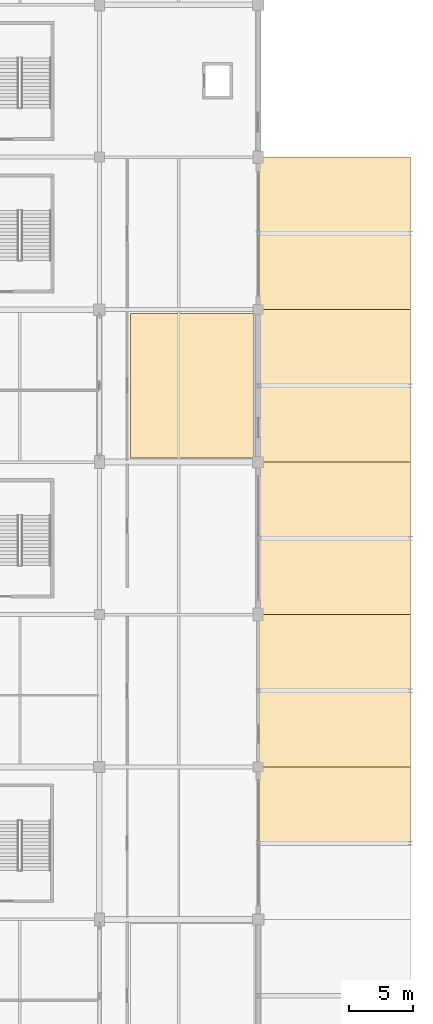
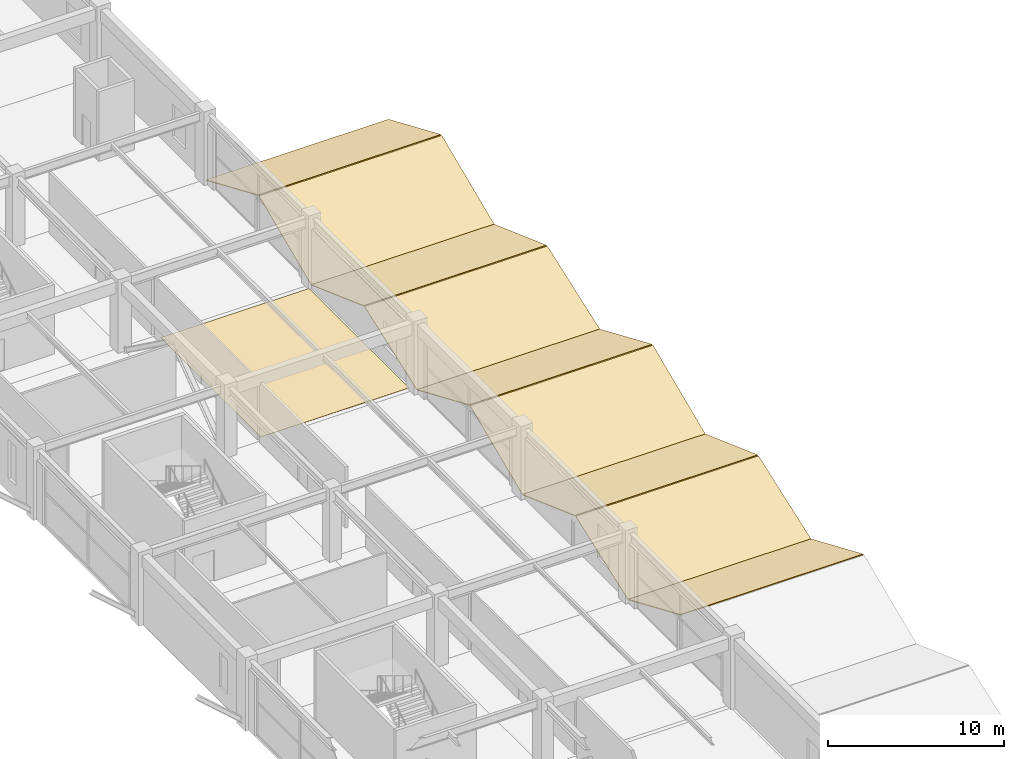
# One storey, part 109 of 116: 10 coverings.
"""IFC4 building model written with IfcOpenShell, lengths in metres."""

import ifcopenshell
import ifcopenshell.guid

model = None  # the IFC model being written
_history = None  # IfcOwnerHistory: only IFC2X3 demands one
_inside = {}  # id of a spatial element -> (the spatial element, [elements in it])
_under = {}  # id of a project, library or spatial element -> (it, [spatial elements below it])
_declared = {}  # id of a project -> (the project, [libraries it declares])
_typed = {}  # id of a type object -> (the type object, [elements of that type])
_made_of = {}  # id of a material, layer set ... -> (it, [elements and type objects made of it])


def new_model(schema):
    """Start an empty IFC model of exactly this schema.

    Asked for "IFC4X3", IfcOpenShell would pick the latest addendum, in which some entities
    have other attributes; the version numbers below select the first issue.
    IFC2X3 requires an IfcOwnerHistory on every rooted entity: one is made here for all.
    """
    global model, _history
    if schema == "IFC4X3":
        model = ifcopenshell.file(schema_version=(4, 3, 0, 0))
    else:
        model = ifcopenshell.file(schema=schema)
    _inside.clear()
    _under.clear()
    _declared.clear()
    _typed.clear()
    _made_of.clear()
    _history = None
    if model.schema == "IFC2X3":
        org = make("IfcOrganization", Name="unknown")
        user = make(
            "IfcPersonAndOrganization",
            ThePerson=make("IfcPerson", FamilyName="unknown"),
            TheOrganization=org,
        )
        app = make(
            "IfcApplication",
            ApplicationDeveloper=org,
            Version="unknown",
            ApplicationFullName="unknown",
            ApplicationIdentifier="unknown",
        )
        _history = make(
            "IfcOwnerHistory",
            OwningUser=user,
            OwningApplication=app,
            ChangeAction="ADDED",
            CreationDate=0,
        )
    return model


def make(cls, **values):
    """One entity of the class cls with the attributes given. An attribute that is None is left unset."""
    return model.create_entity(
        cls, **{name: value for name, value in values.items() if value is not None}
    )


def rooted(cls, **values):
    """An entity with a GlobalId (a new one), such as an element, a storey or a relation."""
    return make(cls, GlobalId=ifcopenshell.guid.new(), OwnerHistory=_history, **values)


def si_unit(unit_type, name, prefix=None):
    """IfcSIUnit, for example si_unit("LENGTHUNIT", "METRE", prefix="MILLI")."""
    return make("IfcSIUnit", UnitType=unit_type, Prefix=prefix, Name=name)


def assignment(units):
    """IfcUnitAssignment: the units of a project."""
    return None if units is None else make("IfcUnitAssignment", Units=units)


def point(xyz):
    """IfcCartesianPoint."""
    return None if xyz is None else make("IfcCartesianPoint", Coordinates=xyz)


def direction(xyz):
    """IfcDirection."""
    return None if xyz is None else make("IfcDirection", DirectionRatios=xyz)


def frame(location, z_axis=None, x_axis=None):
    """IfcAxis2Placement3D, a coordinate frame: its origin and axes. An axis left out is left unset."""
    return make(
        "IfcAxis2Placement3D",
        Location=point(location),
        Axis=direction(z_axis),
        RefDirection=direction(x_axis),
    )


def origin():
    """The frame at (0, 0, 0) with its axes left unset."""
    return frame((0.0, 0.0, 0.0))


def place(relative_to, where):
    """IfcLocalPlacement: puts the frame where relative to a parent placement (None: the world)."""
    return make(
        "IfcLocalPlacement", PlacementRelTo=relative_to, RelativePlacement=where
    )


def context(
    kind, dimensions, precision=None, world=None, true_north=None, identifier=None
):
    """IfcGeometricRepresentationContext, for example the 3D "Model" context."""
    return make(
        "IfcGeometricRepresentationContext",
        ContextIdentifier=identifier,
        ContextType=kind,
        CoordinateSpaceDimension=dimensions,
        Precision=precision,
        WorldCoordinateSystem=world,
        TrueNorth=true_north,
    )


def subcontext(parent, identifier, kind, view, scale=None):
    """IfcGeometricRepresentationSubContext, for example "Body" below "Model"."""
    return make(
        "IfcGeometricRepresentationSubContext",
        ContextIdentifier=identifier,
        ContextType=kind,
        ParentContext=parent,
        TargetScale=scale,
        TargetView=view,
    )


def project(units=None, contexts=None):
    """IfcProject with its units and contexts."""
    return rooted(
        "IfcProject",
        Name="project",
        RepresentationContexts=contexts,
        UnitsInContext=assignment(units),
    )


def spatial(cls, under=None, at=None, **own):
    """A site, building, storey or space (cls), placed at a placement, below another one or the project."""
    s = rooted(cls, ObjectPlacement=at, **own)
    if under is not None:
        _under.setdefault(under.id(), (under, []))[1].append(s)
    return s


def polyline(points):
    """IfcPolyline through the points."""
    return make("IfcPolyline", Points=[point(p) for p in points])


def outline(outer, holes=None, kind="AREA"):
    """IfcArbitraryClosedProfileDef: a profile drawn as a closed curve; with holes, ...WithVoids."""
    if holes is None:
        return make("IfcArbitraryClosedProfileDef", ProfileType=kind, OuterCurve=outer)
    return make(
        "IfcArbitraryProfileDefWithVoids",
        ProfileType=kind,
        OuterCurve=outer,
        InnerCurves=holes,
    )


def extrude(swept, where, along, depth):
    """IfcExtrudedAreaSolid: the profile swept, set in the frame where, extruded along a direction by depth."""
    return make(
        "IfcExtrudedAreaSolid",
        SweptArea=swept,
        Position=where,
        ExtrudedDirection=direction(along),
        Depth=depth,
    )


def shape(context_of_items, identifier, shape_type, items):
    """IfcShapeRepresentation: the items that make up one representation, for example the "Body"."""
    return make(
        "IfcShapeRepresentation",
        ContextOfItems=context_of_items,
        RepresentationIdentifier=identifier,
        RepresentationType=shape_type,
        Items=items,
    )


def material(Name=None, Category=None):
    """IfcMaterial."""
    return make("IfcMaterial", Name=Name, Category=Category)


def layer(
    of_material, thickness, ventilated=None, Name=None, Category=None, Priority=None
):
    """IfcMaterialLayer: one layer of a wall or slab, of a material (None: an air gap)."""
    return make(
        "IfcMaterialLayer",
        Material=of_material,
        LayerThickness=thickness,
        IsVentilated=ventilated,
        Name=Name,
        Category=Category,
        Priority=Priority,
    )


def layer_set(layers, Name=None):
    """IfcMaterialLayerSet."""
    return make("IfcMaterialLayerSet", MaterialLayers=layers, LayerSetName=Name)


def made_of(thing, what):
    """Note that an element or type object is made of a material, layer set ...; save() writes the relation."""
    if what is not None:
        _made_of.setdefault(what.id(), (what, []))[1].append(thing)
    return thing


def type_object(cls, material=None, **own):
    """A type object (cls), such as IfcWallType, which elements share."""
    return made_of(rooted(cls, **own), material)


def element(
    cls,
    number,
    at=None,
    inside=None,
    cuts=None,
    type_object=None,
    material=None,
    context=None,
    identifier="Body",
    shape_type=None,
    held_by="IfcProductDefinitionShape",
    body=None,
    shapes=None,
    **own,
):
    """One element of the class cls, such as IfcWall. Its Tag is "e" and its number.

    at: its placement. inside: the storey or other place that contains it. cuts: it is an
    opening in that element (IfcRelVoidsElement). A single representation is given by context,
    identifier, shape_type and body (its items); several are given by shapes. held_by: the class
    of the entity that holds the representations. save() writes the other relations.
    """
    e = rooted(cls, Tag="e%d" % number, ObjectPlacement=at, **own)
    if body is not None:
        shapes = [shape(context, identifier, shape_type, body)]
    if shapes is not None:
        e.Representation = make(held_by, Representations=shapes)
    if inside is not None:
        _inside.setdefault(inside.id(), (inside, []))[1].append(e)
    if cuts is not None:
        rooted(
            "IfcRelVoidsElement", RelatingBuildingElement=cuts, RelatedOpeningElement=e
        )
    if type_object is not None:
        _typed.setdefault(type_object.id(), (type_object, []))[1].append(e)
    return made_of(e, material)


def aggregate(whole, parts):
    """IfcRelAggregates: a whole, such as a stair, and the parts it consists of."""
    return rooted("IfcRelAggregates", RelatingObject=whole, RelatedObjects=parts)


def save(model, path):
    """Write the relations noted so far, then the file.

    IfcRelAggregates (storeys below a building ...), IfcRelContainedInSpatialStructure (elements
    in a storey), IfcRelDefinesByType, IfcRelAssociatesMaterial and IfcRelDeclares: one each for
    every whole, place, type object, material and project.
    """
    for whole, parts in _under.values():
        aggregate(whole, parts)
    for where, things in _inside.values():
        rooted(
            "IfcRelContainedInSpatialStructure",
            RelatedElements=things,
            RelatingStructure=where,
        )
    for kind, things in _typed.values():
        rooted("IfcRelDefinesByType", RelatedObjects=things, RelatingType=kind)
    for what, things in _made_of.values():
        rooted("IfcRelAssociatesMaterial", RelatedObjects=things, RelatingMaterial=what)
    for by, libraries in _declared.values():
        rooted("IfcRelDeclares", RelatingContext=by, RelatedDefinitions=libraries)
    model.write(path)


model = new_model("IFC4")

# Units and contexts
model_context = context("Model", 3, precision=1e-05, world=origin(), true_north=direction((0.0, 1.0)))
body_context = subcontext(model_context, "Body", "Model", "MODEL_VIEW")
ifc_project = project(units=[si_unit("LENGTHUNIT", "METRE"), si_unit("AREAUNIT", "SQUARE_METRE"), si_unit("VOLUMEUNIT", "CUBIC_METRE"), si_unit("PLANEANGLEUNIT", "RADIAN"), si_unit("MASSUNIT", "GRAM", prefix="KILO")], contexts=[model_context])

# Site, building, storey
site_placement = place(None, origin())
site = spatial("IfcSite", under=ifc_project, at=site_placement, CompositionType="ELEMENT")
building_placement = place(site_placement, origin())
building = spatial("IfcBuilding", under=site, at=building_placement, Name="Kazenohara Klinker Stadium", CompositionType="ELEMENT")
storey_placement = place(building_placement, frame((0.0, 0.0, 10.199951171875)))
storey = spatial("IfcBuildingStorey", under=building, at=storey_placement, Name="L02", CompositionType="ELEMENT", Elevation=10.199951171875)

# Coverings
ifc_material_1 = material(Name="Cushioned EPDM sports rubber flooring", Category="rubber")
ifc_layer_1 = layer(ifc_material_1, 0.014892578125)
ifc_layer_set_1 = layer_set([ifc_layer_1], Name="Cushioned EPDM sports rubber flooring")
covering_type_1 = type_object("IfcCoveringType", Name="COV-FLR-02", PredefinedType="FLOORING", material=ifc_layer_set_1)
covering_1_placement = place(storey_placement, origin())
element("IfcCovering", 1, at=covering_1_placement, inside=storey, type_object=covering_type_1, Name="Interior floor finish FL02 Hospitality Culinary Catering Kitchen L02-1509A", PredefinedType="FLOORING", context=body_context, shape_type="SweptSolid", body=[
    extrude(outline(polyline([(189.929931640625, 108.31005859375), (199.669921875, 108.31005859375), (199.669921875, 119.68994140625), (189.929931640625, 119.68994140625), (189.929931640625, 108.31005859375)])), origin(), (0.0, 0.0, 1.0), 0.01513671875),
])
ifc_material_2 = material(Name="Insulated standing-seam copper roofing", Category="metal")
ifc_layer_2 = layer(ifc_material_2, 0.050048828125)
ifc_layer_set_2 = layer_set([ifc_layer_2], Name="Insulated standing-seam copper roofing")
covering_type_2 = type_object("IfcCoveringType", Name="COV-ROOF-01", PredefinedType="ROOFING", material=ifc_layer_set_2)
covering_2_placement = place(storey_placement, frame((200.0, 78.050048828125, 2.52001953125), z_axis=(0.0, 0.39392840207, 0.919141128469), x_axis=(1.0, 0.0, 0.0)))
element("IfcCovering", 2, at=covering_2_placement, inside=storey, type_object=covering_type_2, Name="Standing-seam copper stepped wing roofing L02-B 17/G", PredefinedType="ROOFING", context=body_context, shape_type="SweptSolid", body=[
    extrude(outline(polyline([(0.0, 0.0), (12.0, 0.0), (12.0, 6.473381494514158), (0.0, 6.473381494514158), (0.0, 0.0)])), origin(), (0.0, 0.0, -1.0), 0.050048828125),
])
for number, where, z_axis, x_axis, name in (
    (3, (200.0, 84.0, -0.030029296875), (0.0, -0.339861612046, 0.940475456701), (1.0, 0.0, 0.0), "Standing-seam copper stepped wing roofing L02-A 17/H"),
    (4, (200.0, 90.050048828125, 2.1201171875), (0.0, 0.339861612046, 0.940475456701), (1.0, 0.0, 0.0), "Standing-seam copper stepped wing roofing L02-B 17/H"),
):
    element("IfcCovering", number, at=place(storey_placement, frame(where, z_axis=z_axis, x_axis=x_axis)), inside=storey, type_object=covering_type_2, Name=name, PredefinedType="ROOFING", context=body_context, shape_type="SweptSolid", body=[
        extrude(outline(polyline([(0.0, 0.0), (12.0, 0.0), (12.0, 6.3265352960342245), (0.0, 6.3265352960342245), (0.0, 0.0)])), origin(), (0.0, 0.0, -1.0), 0.050048828125),
    ])
for number, where, z_axis, x_axis, name in (
    (5, (200.0, 96.0, -0.030029296875), (0.0, -0.39392840207, 0.919141128469), (1.0, 0.0, 0.0), "Standing-seam copper stepped wing roofing L02-A 17/J"),
    (6, (200.0, 102.050048828125, 2.52001953125), (0.0, 0.39392840207, 0.919141128469), (1.0, 0.0, 0.0), "Standing-seam copper stepped wing roofing L02-B 17/J"),
):
    element("IfcCovering", number, at=place(storey_placement, frame(where, z_axis=z_axis, x_axis=x_axis)), inside=storey, type_object=covering_type_2, Name=name, PredefinedType="ROOFING", context=body_context, shape_type="SweptSolid", body=[
        extrude(outline(polyline([(0.0, 0.0), (12.0, 0.0), (12.0, 6.473381494514158), (0.0, 6.473381494514158), (0.0, 0.0)])), origin(), (0.0, 0.0, -1.0), 0.050048828125),
    ])
for number, where, z_axis, x_axis, name in (
    (7, (200.0, 108.0, -0.030029296875), (0.0, -0.339861612046, 0.940475456701), (1.0, 0.0, 0.0), "Standing-seam copper stepped wing roofing L02-A 17/K"),
    (8, (200.0, 114.050048828125, 2.1201171875), (0.0, 0.339861612046, 0.940475456701), (1.0, 0.0, 0.0), "Standing-seam copper stepped wing roofing L02-B 17/K"),
):
    element("IfcCovering", number, at=place(storey_placement, frame(where, z_axis=z_axis, x_axis=x_axis)), inside=storey, type_object=covering_type_2, Name=name, PredefinedType="ROOFING", context=body_context, shape_type="SweptSolid", body=[
        extrude(outline(polyline([(0.0, 0.0), (12.0, 0.0), (12.0, 6.3265352960342245), (0.0, 6.3265352960342245), (0.0, 0.0)])), origin(), (0.0, 0.0, -1.0), 0.050048828125),
    ])
for number, where, z_axis, x_axis, name in (
    (9, (200.0, 120.0, -0.030029296875), (0.0, -0.39392840207, 0.919141128469), (1.0, 0.0, 0.0), "Standing-seam copper stepped wing roofing L02-A 17/L"),
    (10, (200.0, 126.050048828125, 2.52001953125), (0.0, 0.39392840207, 0.919141128469), (1.0, 0.0, 0.0), "Standing-seam copper stepped wing roofing L02-B 17/L"),
):
    element("IfcCovering", number, at=place(storey_placement, frame(where, z_axis=z_axis, x_axis=x_axis)), inside=storey, type_object=covering_type_2, Name=name, PredefinedType="ROOFING", context=body_context, shape_type="SweptSolid", body=[
        extrude(outline(polyline([(0.0, 0.0), (12.0, 0.0), (12.0, 6.473381494514158), (0.0, 6.473381494514158), (0.0, 0.0)])), origin(), (0.0, 0.0, -1.0), 0.050048828125),
    ])

save(model, "model.ifc")
